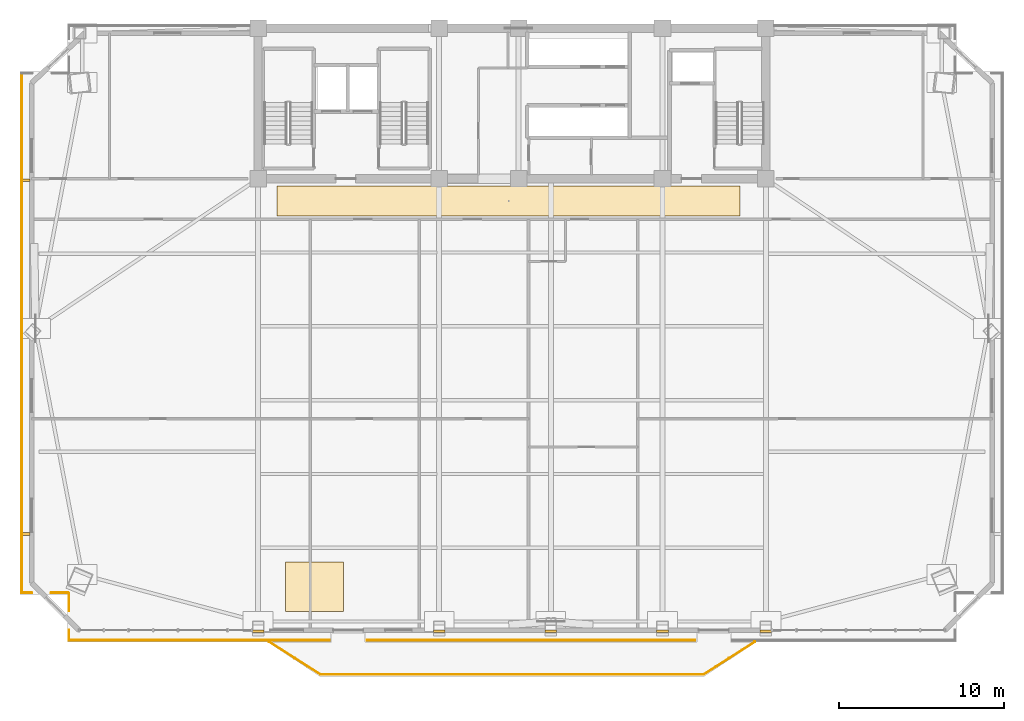
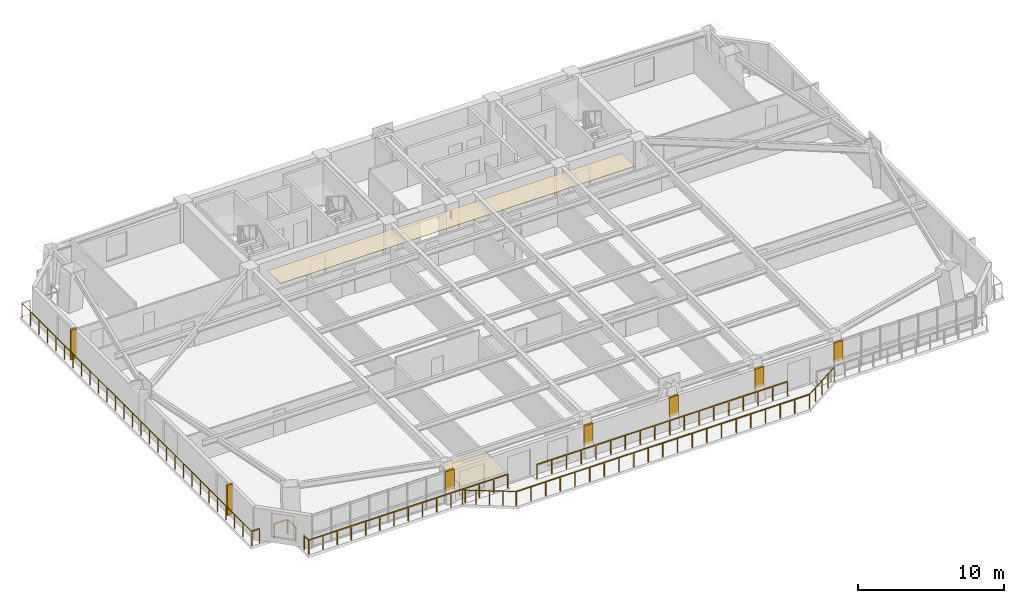
# One storey, part 12 of 15: 10 railings, 7 coverings, 2 shading devices.
"""IFC4 building model written with IfcOpenShell, lengths in metres."""

from ifc_helpers import new_model, si_unit, direction, frame, origin, origin_2d, place, context, subcontext, project, spatial, polyline, rectangle, outline, extrude, source, transform, mapped, material, layer, layer_set, type_object, element, save


model = new_model("IFC4")

# Units and contexts
model_context = context("Model", 3, precision=1e-05, world=origin(), true_north=direction((0.0, 1.0)))
body_context = subcontext(model_context, "Body", "Model", "MODEL_VIEW")
ifc_project = project(units=[si_unit("LENGTHUNIT", "METRE"), si_unit("AREAUNIT", "SQUARE_METRE"), si_unit("VOLUMEUNIT", "CUBIC_METRE"), si_unit("PLANEANGLEUNIT", "RADIAN"), si_unit("MASSUNIT", "GRAM", prefix="KILO")], contexts=[model_context])

# Site, building, storey
site_placement = place(None, origin())
site = spatial("IfcSite", under=ifc_project, at=site_placement, CompositionType="ELEMENT")
building_placement = place(site_placement, origin())
building = spatial("IfcBuilding", under=site, at=building_placement, Name="Giltprow Tower", CompositionType="ELEMENT")
storey_placement = place(building_placement, frame((0.0, 0.0, 187.699951171875)))
storey = spatial("IfcBuildingStorey", under=building, at=storey_placement, Name="L47", CompositionType="ELEMENT", Elevation=187.699951171875)

# Coverings
ifc_material_1 = material(Name="Painted gypsum board", Category="gypsum")
ifc_layer_1 = layer(ifc_material_1, 0.030029296875, Name="Painted gypsum board")
ifc_layer_set_1 = layer_set([ifc_layer_1], Name="Painted gypsum board")
covering_type_1 = type_object("IfcCoveringType", Name="COV-CLG-GYPSUM", PredefinedType="CEILING", material=ifc_layer_set_1)
covering_1_placement = place(storey_placement, frame((0.0, 0.0, 2.6201171875)))
element("IfcCovering", 1, at=covering_1_placement, inside=storey, type_object=covering_type_1, Name="L47 Hotel Corridor Gypsum Ceiling", PredefinedType="CEILING", context=body_context, shape_type="SweptSolid", body=[
    extrude(outline(polyline([(21.0, 35.199951171875), (49.0, 35.199951171875), (49.0, 37.0), (21.0, 37.0), (21.0, 35.199951171875)])), origin(), (0.0, 0.0, 1.0), 0.030029296875),
])
ifc_material_2 = material(Name="Engineered oak", Category="wood")
ifc_layer_2 = layer(ifc_material_2, 0.02490234375, Name="Engineered oak")
ifc_layer_set_2 = layer_set([ifc_layer_2], Name="Engineered oak")
covering_type_2 = type_object("IfcCoveringType", Name="COV-FLR-TIMBER", PredefinedType="FLOORING", material=ifc_layer_set_2)
covering_2_placement = place(storey_placement, origin())
element("IfcCovering", 2, at=covering_2_placement, inside=storey, type_object=covering_type_2, Name="L47 Engineered Oak Guestroom Flooring", PredefinedType="FLOORING", context=body_context, shape_type="SweptSolid", body=[
    extrude(outline(polyline([(21.5, 11.280029296875), (25.0, 11.280029296875), (25.0, 14.280029296875), (21.5, 14.280029296875), (21.5, 11.280029296875)])), origin(), (0.0, 0.0, 1.0), 0.025146484375),
])
ifc_material_3 = material(Name="Anodized bronze", Category="metal")
ifc_layer_3 = layer(ifc_material_3, 0.0400390625, Name="Anodized bronze")
ifc_layer_set_3 = layer_set([ifc_layer_3], Name="Anodized bronze")
covering_type_3 = type_object("IfcCoveringType", Name="COV-SOFFIT-BRONZE", PredefinedType="CLADDING", material=ifc_layer_set_3)
covering_3_placement = place(storey_placement, frame((0.0, 0.0, 1.10009765625)))
element("IfcCovering", 3, at=covering_3_placement, inside=storey, type_object=covering_type_3, Name="L47 Setback Pier Closure Cladding S-1", PredefinedType="CLADDING", context=body_context, shape_type="SweptSolid", body=[
    extrude(outline(polyline([(19.5, 10.013916015625), (20.199951171875, 10.013916015625), (20.199951171875, 10.174072265625), (19.5, 10.174072265625), (19.5, 10.013916015625)])), origin(), (0.0, 0.0, 1.0), 1.599853515625),
])
covering_4_placement = place(storey_placement, frame((0.0, 0.0, 1.10009765625)))
element("IfcCovering", 4, at=covering_4_placement, inside=storey, type_object=covering_type_3, Name="L47 Setback Pier Closure Cladding S-2", PredefinedType="CLADDING", context=body_context, shape_type="SweptSolid", body=[
    extrude(outline(polyline([(30.449951171875, 10.013916015625), (31.14990234375, 10.013916015625), (31.14990234375, 10.174072265625), (30.449951171875, 10.174072265625), (30.449951171875, 10.013916015625)])), origin(), (0.0, 0.0, 1.0), 1.599853515625),
])
covering_5_placement = place(storey_placement, frame((0.0, 0.0, 1.10009765625)))
element("IfcCovering", 5, at=covering_5_placement, inside=storey, type_object=covering_type_3, Name="L47 Setback Pier Closure Cladding S-3", PredefinedType="CLADDING", context=body_context, shape_type="SweptSolid", body=[
    extrude(outline(polyline([(37.199951171875, 10.013916015625), (37.89990234375, 10.013916015625), (37.89990234375, 10.174072265625), (37.199951171875, 10.174072265625), (37.199951171875, 10.013916015625)])), origin(), (0.0, 0.0, 1.0), 1.599853515625),
])
covering_6_placement = place(storey_placement, frame((0.0, 0.0, 1.10009765625)))
element("IfcCovering", 6, at=covering_6_placement, inside=storey, type_object=covering_type_3, Name="L47 Setback Pier Closure Cladding S-4", PredefinedType="CLADDING", context=body_context, shape_type="SweptSolid", body=[
    extrude(outline(polyline([(43.949951171875, 10.013916015625), (44.64990234375, 10.013916015625), (44.64990234375, 10.174072265625), (43.949951171875, 10.174072265625), (43.949951171875, 10.013916015625)])), origin(), (0.0, 0.0, 1.0), 1.599853515625),
])
covering_7_placement = place(storey_placement, frame((0.0, 0.0, 1.10009765625)))
element("IfcCovering", 7, at=covering_7_placement, inside=storey, type_object=covering_type_3, Name="L47 Setback Pier Closure Cladding S-5", PredefinedType="CLADDING", context=body_context, shape_type="SweptSolid", body=[
    extrude(outline(polyline([(50.199951171875, 10.013916015625), (50.89990234375, 10.013916015625), (50.89990234375, 10.174072265625), (50.199951171875, 10.174072265625), (50.199951171875, 10.013916015625)])), origin(), (0.0, 0.0, 1.0), 1.599853515625),
])

# Railings
railing_type = type_object("IfcRailingType", Name="RAIL-BALC-GUARD-1200", PredefinedType="BALUSTRADE", material=ifc_material_3)
railing_1_placement = place(storey_placement, frame((20.52001953125, 9.4541015625, 0.0)))
element("IfcRailing", 8, at=railing_1_placement, inside=storey, type_object=railing_type, Name="L47 Waterfront Balcony Balustrade Seg 1", PredefinedType="BALUSTRADE", context=body_context, shape_type="SweptSolid", body=[
    extrude(rectangle(XDim=0.048095703125, YDim=0.048095703125, at=origin_2d()), frame((0.0, 0.0, 1.17578125), z_axis=(0.84277487735, -0.538266203757, 0.0), x_axis=(0.538266203757, 0.84277487735, 0.0)), (0.0, 0.0, 1.0), 3.678466796875),
    extrude(rectangle(XDim=0.0419921875, YDim=0.0419921875, at=origin_2d()), origin(), (0.0, 0.0, 1.0), 1.15185546875),
    extrude(rectangle(XDim=0.0419921875, YDim=0.0419921875, at=origin_2d()), frame((0.77490234375, -0.4951171875, 0.0)), (0.0, 0.0, 1.0), 1.15185546875),
    extrude(rectangle(XDim=0.0419921875, YDim=0.0419921875, at=origin_2d()), frame((1.550048828125, -0.989990234375, 0.0)), (0.0, 0.0, 1.0), 1.15185546875),
    extrude(rectangle(XDim=0.0419921875, YDim=0.0419921875, at=origin_2d()), frame((2.3251953125, -1.48486328125, 0.0)), (0.0, 0.0, 1.0), 1.15185546875),
    extrude(rectangle(XDim=0.0419921875, YDim=0.0419921875, at=origin_2d()), frame((3.10009765625, -1.97998046875, 0.0)), (0.0, 0.0, 1.0), 1.15185546875),
])
railing_2_placement = place(storey_placement, frame((23.6201171875, 7.47412109375, 0.0)))
element("IfcRailing", 9, at=railing_2_placement, inside=storey, type_object=railing_type, Name="L47 Waterfront Balcony Balustrade Seg 2", PredefinedType="BALUSTRADE", context=body_context, shape_type="SweptSolid", body=[
    extrude(rectangle(XDim=0.048095703125, YDim=0.048095703125, at=origin_2d()), frame((0.0, 0.0, 1.17578125), z_axis=(1.0, 0.0, 0.0), x_axis=(0.0, 1.0, 0.0)), (0.0, 0.0, 1.0), 23.159912109375),
    extrude(rectangle(XDim=0.0419921875, YDim=0.0419921875, at=origin_2d()), origin(), (0.0, 0.0, 1.0), 1.15185546875),
    extrude(rectangle(XDim=0.0419921875, YDim=0.0419921875, at=origin_2d()), frame((1.157958984375, 0.0, 0.0)), (0.0, 0.0, 1.0), 1.15185546875),
    extrude(rectangle(XDim=0.0419921875, YDim=0.0419921875, at=origin_2d()), frame((2.31591796875, 0.0, 0.0)), (0.0, 0.0, 1.0), 1.15185546875),
    extrude(rectangle(XDim=0.0419921875, YDim=0.0419921875, at=origin_2d()), frame((3.473876953125, 0.0, 0.0)), (0.0, 0.0, 1.0), 1.15185546875),
    extrude(rectangle(XDim=0.0419921875, YDim=0.0419921875, at=origin_2d()), frame((4.632080078125, 0.0, 0.0)), (0.0, 0.0, 1.0), 1.15185546875),
    extrude(rectangle(XDim=0.0419921875, YDim=0.0419921875, at=origin_2d()), frame((5.7900390625, 0.0, 0.0)), (0.0, 0.0, 1.0), 1.15185546875),
    extrude(rectangle(XDim=0.0419921875, YDim=0.0419921875, at=origin_2d()), frame((6.947998046875, 0.0, 0.0)), (0.0, 0.0, 1.0), 1.15185546875),
    extrude(rectangle(XDim=0.0419921875, YDim=0.0419921875, at=origin_2d()), frame((8.10595703125, 0.0, 0.0)), (0.0, 0.0, 1.0), 1.15185546875),
    extrude(rectangle(XDim=0.0419921875, YDim=0.0419921875, at=origin_2d()), frame((9.263916015625, 0.0, 0.0)), (0.0, 0.0, 1.0), 1.15185546875),
    extrude(rectangle(XDim=0.0419921875, YDim=0.0419921875, at=origin_2d()), frame((10.421875, 0.0, 0.0)), (0.0, 0.0, 1.0), 1.15185546875),
    extrude(rectangle(XDim=0.0419921875, YDim=0.0419921875, at=origin_2d()), frame((11.580078125, 0.0, 0.0)), (0.0, 0.0, 1.0), 1.15185546875),
    extrude(rectangle(XDim=0.0419921875, YDim=0.0419921875, at=origin_2d()), frame((12.738037109375, 0.0, 0.0)), (0.0, 0.0, 1.0), 1.15185546875),
    extrude(rectangle(XDim=0.0419921875, YDim=0.0419921875, at=origin_2d()), frame((13.89599609375, 0.0, 0.0)), (0.0, 0.0, 1.0), 1.15185546875),
    extrude(rectangle(XDim=0.0419921875, YDim=0.0419921875, at=origin_2d()), frame((15.053955078125, 0.0, 0.0)), (0.0, 0.0, 1.0), 1.15185546875),
    extrude(rectangle(XDim=0.0419921875, YDim=0.0419921875, at=origin_2d()), frame((16.2119140625, 0.0, 0.0)), (0.0, 0.0, 1.0), 1.15185546875),
    extrude(rectangle(XDim=0.0419921875, YDim=0.0419921875, at=origin_2d()), frame((17.369873046875, 0.0, 0.0)), (0.0, 0.0, 1.0), 1.15185546875),
    extrude(rectangle(XDim=0.0419921875, YDim=0.0419921875, at=origin_2d()), frame((18.52783203125, 0.0, 0.0)), (0.0, 0.0, 1.0), 1.15185546875),
    extrude(rectangle(XDim=0.0419921875, YDim=0.0419921875, at=origin_2d()), frame((19.68603515625, 0.0, 0.0)), (0.0, 0.0, 1.0), 1.15185546875),
    extrude(rectangle(XDim=0.0419921875, YDim=0.0419921875, at=origin_2d()), frame((20.843994140625, 0.0, 0.0)), (0.0, 0.0, 1.0), 1.15185546875),
    extrude(rectangle(XDim=0.0419921875, YDim=0.0419921875, at=origin_2d()), frame((22.001953125, 0.0, 0.0)), (0.0, 0.0, 1.0), 1.15185546875),
    extrude(rectangle(XDim=0.0419921875, YDim=0.0419921875, at=origin_2d()), frame((23.159912109375, 0.0, 0.0)), (0.0, 0.0, 1.0), 1.15185546875),
])
railing_3_placement = place(storey_placement, frame((46.780029296875, 7.47412109375, 0.0)))
element("IfcRailing", 10, at=railing_3_placement, inside=storey, type_object=railing_type, Name="L47 Waterfront Balcony Balustrade Seg 3", PredefinedType="BALUSTRADE", context=body_context, shape_type="SweptSolid", body=[
    extrude(rectangle(XDim=0.048095703125, YDim=0.048095703125, at=origin_2d()), frame((0.0, 0.0, 1.17578125), z_axis=(0.842755646126, 0.538296313309, 0.0), x_axis=(-0.538296313309, 0.842755646126, 0.0)), (0.0, 0.0, 1.0), 3.67822265625),
    extrude(rectangle(XDim=0.0419921875, YDim=0.0419921875, at=origin_2d()), origin(), (0.0, 0.0, 1.0), 1.15185546875),
    extrude(rectangle(XDim=0.0419921875, YDim=0.0419921875, at=origin_2d()), frame((0.77490234375, 0.4951171875, 0.0)), (0.0, 0.0, 1.0), 1.15185546875),
    extrude(rectangle(XDim=0.0419921875, YDim=0.0419921875, at=origin_2d()), frame((1.5498046875, 0.989990234375, 0.0)), (0.0, 0.0, 1.0), 1.15185546875),
    extrude(rectangle(XDim=0.0419921875, YDim=0.0419921875, at=origin_2d()), frame((2.324951171875, 1.48486328125, 0.0)), (0.0, 0.0, 1.0), 1.15185546875),
    extrude(rectangle(XDim=0.0419921875, YDim=0.0419921875, at=origin_2d()), frame((3.099853515625, 1.97998046875, 0.0)), (0.0, 0.0, 1.0), 1.15185546875),
])
railing_4_placement = place(storey_placement, frame((8.4150390625, 9.553955078125, 0.0)))
element("IfcRailing", 11, at=railing_4_placement, inside=storey, type_object=railing_type, Name="L47 Corner Apron Edge Balustrade 1", PredefinedType="BALUSTRADE", context=body_context, shape_type="SweptSolid", body=[
    extrude(rectangle(XDim=0.048095703125, YDim=0.048095703125, at=origin_2d()), frame((0.0, 0.0, 1.17578125), z_axis=(0.0, 1.0, 0.0), x_axis=(-1.0, 0.0, 0.0)), (0.0, 0.0, 1.0), 0.6201171875),
    extrude(rectangle(XDim=0.0419921875, YDim=0.0419921875, at=origin_2d()), origin(), (0.0, 0.0, 1.0), 1.15185546875),
    extrude(rectangle(XDim=0.0419921875, YDim=0.0419921875, at=origin_2d()), frame((0.0, 0.6201171875, 0.0)), (0.0, 0.0, 1.0), 1.15185546875),
])
railing_5_placement = place(storey_placement, frame((8.4150390625, 11.333984375, 0.0)))
element("IfcRailing", 12, at=railing_5_placement, inside=storey, type_object=railing_type, Name="L47 Corner Apron Edge Balustrade 2", PredefinedType="BALUSTRADE", context=body_context, shape_type="SweptSolid", body=[
    extrude(rectangle(XDim=0.048095703125, YDim=0.048095703125, at=origin_2d()), frame((0.0, 0.0, 1.17578125), z_axis=(0.0, 1.0, 0.0), x_axis=(-1.0, 0.0, 0.0)), (0.0, 0.0, 1.0), 1.0458984375),
    extrude(rectangle(XDim=0.0419921875, YDim=0.0419921875, at=origin_2d()), origin(), (0.0, 0.0, 1.0), 1.15185546875),
    extrude(rectangle(XDim=0.0419921875, YDim=0.0419921875, at=origin_2d()), frame((0.0, 1.0458984375, 0.0)), (0.0, 0.0, 1.0), 1.15185546875),
])
railing_6_placement = place(storey_placement, frame((8.3798828125, 12.4150390625, 0.0)))
element("IfcRailing", 13, at=railing_6_placement, inside=storey, type_object=railing_type, Name="L47 Corner Apron Edge Balustrade 3", PredefinedType="BALUSTRADE", context=body_context, shape_type="SweptSolid", body=[
    extrude(rectangle(XDim=0.048095703125, YDim=0.048095703125, at=origin_2d()), frame((0.0, 0.0, 1.17578125), z_axis=(-1.0, 0.0, 0.0), x_axis=(0.0, -1.0, 0.0)), (0.0, 0.0, 1.0), 1.0458984375),
    extrude(rectangle(XDim=0.0419921875, YDim=0.0419921875, at=origin_2d()), origin(), (0.0, 0.0, 1.0), 1.15185546875),
    extrude(rectangle(XDim=0.0419921875, YDim=0.0419921875, at=origin_2d()), frame((-1.0458984375, 0.0, 0.0)), (0.0, 0.0, 1.0), 1.15185546875),
])
railing_7_placement = place(storey_placement, frame((6.174072265625, 12.4150390625, 0.0)))
element("IfcRailing", 14, at=railing_7_placement, inside=storey, type_object=railing_type, Name="L47 Corner Apron Edge Balustrade 4", PredefinedType="BALUSTRADE", context=body_context, shape_type="SweptSolid", body=[
    extrude(rectangle(XDim=0.048095703125, YDim=0.048095703125, at=origin_2d()), frame((0.0, 0.0, 1.17578125), z_axis=(-1.0, 0.0, 0.0), x_axis=(0.0, -1.0, 0.0)), (0.0, 0.0, 1.0), 0.6201171875),
    extrude(rectangle(XDim=0.0419921875, YDim=0.0419921875, at=origin_2d()), origin(), (0.0, 0.0, 1.0), 1.15185546875),
    extrude(rectangle(XDim=0.0419921875, YDim=0.0419921875, at=origin_2d()), frame((-0.6201171875, 0.0, 0.0)), (0.0, 0.0, 1.0), 1.15185546875),
])
railing_8_placement = place(storey_placement, frame((5.553955078125, 12.4150390625, 0.0)))
element("IfcRailing", 15, at=railing_8_placement, inside=storey, type_object=railing_type, Name="L47 Corner Apron Edge Balustrade 5", PredefinedType="BALUSTRADE", context=body_context, shape_type="SweptSolid", body=[
    extrude(rectangle(XDim=0.048095703125, YDim=0.048095703125, at=origin_2d()), frame((0.0, 0.0, 1.17578125), z_axis=(0.0, 1.0, 0.0), x_axis=(-1.0, 0.0, 0.0)), (0.0, 0.0, 1.0), 31.424072265625),
    extrude(rectangle(XDim=0.0419921875, YDim=0.0419921875, at=origin_2d()), origin(), (0.0, 0.0, 1.0), 1.15185546875),
    extrude(rectangle(XDim=0.0419921875, YDim=0.0419921875, at=origin_2d()), frame((0.0, 1.163818359375, 0.0)), (0.0, 0.0, 1.0), 1.15185546875),
    extrude(rectangle(XDim=0.0419921875, YDim=0.0419921875, at=origin_2d()), frame((0.0, 2.32763671875, 0.0)), (0.0, 0.0, 1.0), 1.15185546875),
    extrude(rectangle(XDim=0.0419921875, YDim=0.0419921875, at=origin_2d()), frame((0.0, 3.491455078125, 0.0)), (0.0, 0.0, 1.0), 1.15185546875),
    extrude(rectangle(XDim=0.0419921875, YDim=0.0419921875, at=origin_2d()), frame((0.0, 4.655517578125, 0.0)), (0.0, 0.0, 1.0), 1.15185546875),
    extrude(rectangle(XDim=0.0419921875, YDim=0.0419921875, at=origin_2d()), frame((0.0, 5.8193359375, 0.0)), (0.0, 0.0, 1.0), 1.15185546875),
    extrude(rectangle(XDim=0.0419921875, YDim=0.0419921875, at=origin_2d()), frame((0.0, 6.983154296875, 0.0)), (0.0, 0.0, 1.0), 1.15185546875),
    extrude(rectangle(XDim=0.0419921875, YDim=0.0419921875, at=origin_2d()), frame((0.0, 8.14697265625, 0.0)), (0.0, 0.0, 1.0), 1.15185546875),
    extrude(rectangle(XDim=0.0419921875, YDim=0.0419921875, at=origin_2d()), frame((0.0, 9.310791015625, 0.0)), (0.0, 0.0, 1.0), 1.15185546875),
    extrude(rectangle(XDim=0.0419921875, YDim=0.0419921875, at=origin_2d()), frame((0.0, 10.474609375, 0.0)), (0.0, 0.0, 1.0), 1.15185546875),
    extrude(rectangle(XDim=0.0419921875, YDim=0.0419921875, at=origin_2d()), frame((0.0, 11.638427734375, 0.0)), (0.0, 0.0, 1.0), 1.15185546875),
    extrude(rectangle(XDim=0.0419921875, YDim=0.0419921875, at=origin_2d()), frame((0.0, 12.802490234375, 0.0)), (0.0, 0.0, 1.0), 1.15185546875),
    extrude(rectangle(XDim=0.0419921875, YDim=0.0419921875, at=origin_2d()), frame((0.0, 13.96630859375, 0.0)), (0.0, 0.0, 1.0), 1.15185546875),
    extrude(rectangle(XDim=0.0419921875, YDim=0.0419921875, at=origin_2d()), frame((0.0, 15.130126953125, 0.0)), (0.0, 0.0, 1.0), 1.15185546875),
    extrude(rectangle(XDim=0.0419921875, YDim=0.0419921875, at=origin_2d()), frame((0.0, 16.2939453125, 0.0)), (0.0, 0.0, 1.0), 1.15185546875),
    extrude(rectangle(XDim=0.0419921875, YDim=0.0419921875, at=origin_2d()), frame((0.0, 17.457763671875, 0.0)), (0.0, 0.0, 1.0), 1.15185546875),
    extrude(rectangle(XDim=0.0419921875, YDim=0.0419921875, at=origin_2d()), frame((0.0, 18.62158203125, 0.0)), (0.0, 0.0, 1.0), 1.15185546875),
    extrude(rectangle(XDim=0.0419921875, YDim=0.0419921875, at=origin_2d()), frame((0.0, 19.78564453125, 0.0)), (0.0, 0.0, 1.0), 1.15185546875),
    extrude(rectangle(XDim=0.0419921875, YDim=0.0419921875, at=origin_2d()), frame((0.0, 20.949462890625, 0.0)), (0.0, 0.0, 1.0), 1.15185546875),
    extrude(rectangle(XDim=0.0419921875, YDim=0.0419921875, at=origin_2d()), frame((0.0, 22.11328125, 0.0)), (0.0, 0.0, 1.0), 1.15185546875),
    extrude(rectangle(XDim=0.0419921875, YDim=0.0419921875, at=origin_2d()), frame((0.0, 23.277099609375, 0.0)), (0.0, 0.0, 1.0), 1.15185546875),
    extrude(rectangle(XDim=0.0419921875, YDim=0.0419921875, at=origin_2d()), frame((0.0, 24.44091796875, 0.0)), (0.0, 0.0, 1.0), 1.15185546875),
    extrude(rectangle(XDim=0.0419921875, YDim=0.0419921875, at=origin_2d()), frame((0.0, 25.604736328125, 0.0)), (0.0, 0.0, 1.0), 1.15185546875),
    extrude(rectangle(XDim=0.0419921875, YDim=0.0419921875, at=origin_2d()), frame((0.0, 26.7685546875, 0.0)), (0.0, 0.0, 1.0), 1.15185546875),
    extrude(rectangle(XDim=0.0419921875, YDim=0.0419921875, at=origin_2d()), frame((0.0, 27.9326171875, 0.0)), (0.0, 0.0, 1.0), 1.15185546875),
    extrude(rectangle(XDim=0.0419921875, YDim=0.0419921875, at=origin_2d()), frame((0.0, 29.096435546875, 0.0)), (0.0, 0.0, 1.0), 1.15185546875),
    extrude(rectangle(XDim=0.0419921875, YDim=0.0419921875, at=origin_2d()), frame((0.0, 30.26025390625, 0.0)), (0.0, 0.0, 1.0), 1.15185546875),
    extrude(rectangle(XDim=0.0419921875, YDim=0.0419921875, at=origin_2d()), frame((0.0, 31.424072265625, 0.0)), (0.0, 0.0, 1.0), 1.15185546875),
])
railing_9_placement = place(storey_placement, frame((46.25, 9.553955078125, 0.0)))
element("IfcRailing", 16, at=railing_9_placement, inside=storey, type_object=railing_type, Name="L47 Corner Apron Edge Balustrade 24", PredefinedType="BALUSTRADE", context=body_context, shape_type="SweptSolid", body=[
    extrude(rectangle(XDim=0.048095703125, YDim=0.048095703125, at=origin_2d()), frame((0.0, 0.0, 1.17578125), z_axis=(-1.0, 0.0, 0.0), x_axis=(0.0, -1.0, 0.0)), (0.0, 0.0, 1.0), 19.800048828125),
    extrude(rectangle(XDim=0.0419921875, YDim=0.0419921875, at=origin_2d()), origin(), (0.0, 0.0, 1.0), 1.15185546875),
    extrude(rectangle(XDim=0.0419921875, YDim=0.0419921875, at=origin_2d()), frame((-1.164794921875, 0.0, 0.0)), (0.0, 0.0, 1.0), 1.15185546875),
    extrude(rectangle(XDim=0.0419921875, YDim=0.0419921875, at=origin_2d()), frame((-2.329345703125, 0.0, 0.0)), (0.0, 0.0, 1.0), 1.15185546875),
    extrude(rectangle(XDim=0.0419921875, YDim=0.0419921875, at=origin_2d()), frame((-3.494140625, 0.0, 0.0)), (0.0, 0.0, 1.0), 1.15185546875),
    extrude(rectangle(XDim=0.0419921875, YDim=0.0419921875, at=origin_2d()), frame((-4.658935546875, 0.0, 0.0)), (0.0, 0.0, 1.0), 1.15185546875),
    extrude(rectangle(XDim=0.0419921875, YDim=0.0419921875, at=origin_2d()), frame((-5.823486328125, 0.0, 0.0)), (0.0, 0.0, 1.0), 1.15185546875),
    extrude(rectangle(XDim=0.0419921875, YDim=0.0419921875, at=origin_2d()), frame((-6.98828125, 0.0, 0.0)), (0.0, 0.0, 1.0), 1.15185546875),
    extrude(rectangle(XDim=0.0419921875, YDim=0.0419921875, at=origin_2d()), frame((-8.153076171875, 0.0, 0.0)), (0.0, 0.0, 1.0), 1.15185546875),
    extrude(rectangle(XDim=0.0419921875, YDim=0.0419921875, at=origin_2d()), frame((-9.317626953125, 0.0, 0.0)), (0.0, 0.0, 1.0), 1.15185546875),
    extrude(rectangle(XDim=0.0419921875, YDim=0.0419921875, at=origin_2d()), frame((-10.482421875, 0.0, 0.0)), (0.0, 0.0, 1.0), 1.15185546875),
    extrude(rectangle(XDim=0.0419921875, YDim=0.0419921875, at=origin_2d()), frame((-11.64697265625, 0.0, 0.0)), (0.0, 0.0, 1.0), 1.15185546875),
    extrude(rectangle(XDim=0.0419921875, YDim=0.0419921875, at=origin_2d()), frame((-12.811767578125, 0.0, 0.0)), (0.0, 0.0, 1.0), 1.15185546875),
    extrude(rectangle(XDim=0.0419921875, YDim=0.0419921875, at=origin_2d()), frame((-13.9765625, 0.0, 0.0)), (0.0, 0.0, 1.0), 1.15185546875),
    extrude(rectangle(XDim=0.0419921875, YDim=0.0419921875, at=origin_2d()), frame((-15.14111328125, 0.0, 0.0)), (0.0, 0.0, 1.0), 1.15185546875),
    extrude(rectangle(XDim=0.0419921875, YDim=0.0419921875, at=origin_2d()), frame((-16.305908203125, 0.0, 0.0)), (0.0, 0.0, 1.0), 1.15185546875),
    extrude(rectangle(XDim=0.0419921875, YDim=0.0419921875, at=origin_2d()), frame((-17.470703125, 0.0, 0.0)), (0.0, 0.0, 1.0), 1.15185546875),
    extrude(rectangle(XDim=0.0419921875, YDim=0.0419921875, at=origin_2d()), frame((-18.63525390625, 0.0, 0.0)), (0.0, 0.0, 1.0), 1.15185546875),
    extrude(rectangle(XDim=0.0419921875, YDim=0.0419921875, at=origin_2d()), frame((-19.800048828125, 0.0, 0.0)), (0.0, 0.0, 1.0), 1.15185546875),
])
railing_10_placement = place(storey_placement, frame((24.14990234375, 9.553955078125, 0.0)))
element("IfcRailing", 17, at=railing_10_placement, inside=storey, type_object=railing_type, Name="L47 Corner Apron Edge Balustrade 25", PredefinedType="BALUSTRADE", context=body_context, shape_type="SweptSolid", body=[
    extrude(rectangle(XDim=0.048095703125, YDim=0.048095703125, at=origin_2d()), frame((0.0, 0.0, 1.17578125), z_axis=(-1.0, 0.0, 0.0), x_axis=(0.0, -1.0, 0.0)), (0.0, 0.0, 1.0), 15.73486328125),
    extrude(rectangle(XDim=0.0419921875, YDim=0.0419921875, at=origin_2d()), origin(), (0.0, 0.0, 1.0), 1.15185546875),
    extrude(rectangle(XDim=0.0419921875, YDim=0.0419921875, at=origin_2d()), frame((-1.1240234375, 0.0, 0.0)), (0.0, 0.0, 1.0), 1.15185546875),
    extrude(rectangle(XDim=0.0419921875, YDim=0.0419921875, at=origin_2d()), frame((-2.247802734375, 0.0, 0.0)), (0.0, 0.0, 1.0), 1.15185546875),
    extrude(rectangle(XDim=0.0419921875, YDim=0.0419921875, at=origin_2d()), frame((-3.371826171875, 0.0, 0.0)), (0.0, 0.0, 1.0), 1.15185546875),
    extrude(rectangle(XDim=0.0419921875, YDim=0.0419921875, at=origin_2d()), frame((-4.49560546875, 0.0, 0.0)), (0.0, 0.0, 1.0), 1.15185546875),
    extrude(rectangle(XDim=0.0419921875, YDim=0.0419921875, at=origin_2d()), frame((-5.61962890625, 0.0, 0.0)), (0.0, 0.0, 1.0), 1.15185546875),
    extrude(rectangle(XDim=0.0419921875, YDim=0.0419921875, at=origin_2d()), frame((-6.743408203125, 0.0, 0.0)), (0.0, 0.0, 1.0), 1.15185546875),
    extrude(rectangle(XDim=0.0419921875, YDim=0.0419921875, at=origin_2d()), frame((-7.867431640625, 0.0, 0.0)), (0.0, 0.0, 1.0), 1.15185546875),
    extrude(rectangle(XDim=0.0419921875, YDim=0.0419921875, at=origin_2d()), frame((-8.991455078125, 0.0, 0.0)), (0.0, 0.0, 1.0), 1.15185546875),
    extrude(rectangle(XDim=0.0419921875, YDim=0.0419921875, at=origin_2d()), frame((-10.115234375, 0.0, 0.0)), (0.0, 0.0, 1.0), 1.15185546875),
    extrude(rectangle(XDim=0.0419921875, YDim=0.0419921875, at=origin_2d()), frame((-11.2392578125, 0.0, 0.0)), (0.0, 0.0, 1.0), 1.15185546875),
    extrude(rectangle(XDim=0.0419921875, YDim=0.0419921875, at=origin_2d()), frame((-12.363037109375, 0.0, 0.0)), (0.0, 0.0, 1.0), 1.15185546875),
    extrude(rectangle(XDim=0.0419921875, YDim=0.0419921875, at=origin_2d()), frame((-13.487060546875, 0.0, 0.0)), (0.0, 0.0, 1.0), 1.15185546875),
    extrude(rectangle(XDim=0.0419921875, YDim=0.0419921875, at=origin_2d()), frame((-14.61083984375, 0.0, 0.0)), (0.0, 0.0, 1.0), 1.15185546875),
    extrude(rectangle(XDim=0.0419921875, YDim=0.0419921875, at=origin_2d()), frame((-15.73486328125, 0.0, 0.0)), (0.0, 0.0, 1.0), 1.15185546875),
])

# Shading devices
shading_device_type = type_object("IfcShadingDeviceType", Name="SHD-FIN-420", PredefinedType="USERDEFINED", material=ifc_material_3)
shared_shape = source(origin(), body_context, "Body", "SweptSolid", [
    extrude(rectangle(XDim=0.419921875, YDim=0.159912109375, at=origin_2d()), origin(), (0.0, 0.0, 1.0), 2.5),
])
for number, where, z_axis, x_axis, name in (
    (18, (5.85400390625, 15.972900390625, 0.35009765625), (0.0, 0.0, 1.0), (1.0, 0.0, 0.0), "L47 W Bronze Vertical Fin 1-1"),
    (19, (5.85400390625, 37.3701171875, 0.35009765625), (0.0, 0.0, 1.0), (1.0, 0.0, 0.0), "L47 W Bronze Vertical Fin 2-1"),
):
    element("IfcShadingDevice", number, at=place(storey_placement, frame(where, z_axis=z_axis, x_axis=x_axis)), inside=storey, type_object=shading_device_type, Name=name, ObjectType="FIN", PredefinedType="USERDEFINED", context=body_context, shape_type="MappedRepresentation", body=[
        mapped(shared_shape, transform((0.0, 0.0, 0.0), x_axis=(1.0, 0.0, 0.0), y_axis=(0.0, 1.0, 0.0), z_axis=(0.0, 0.0, 1.0), scale=1.0)),
    ])

save(model, "model.ifc")
